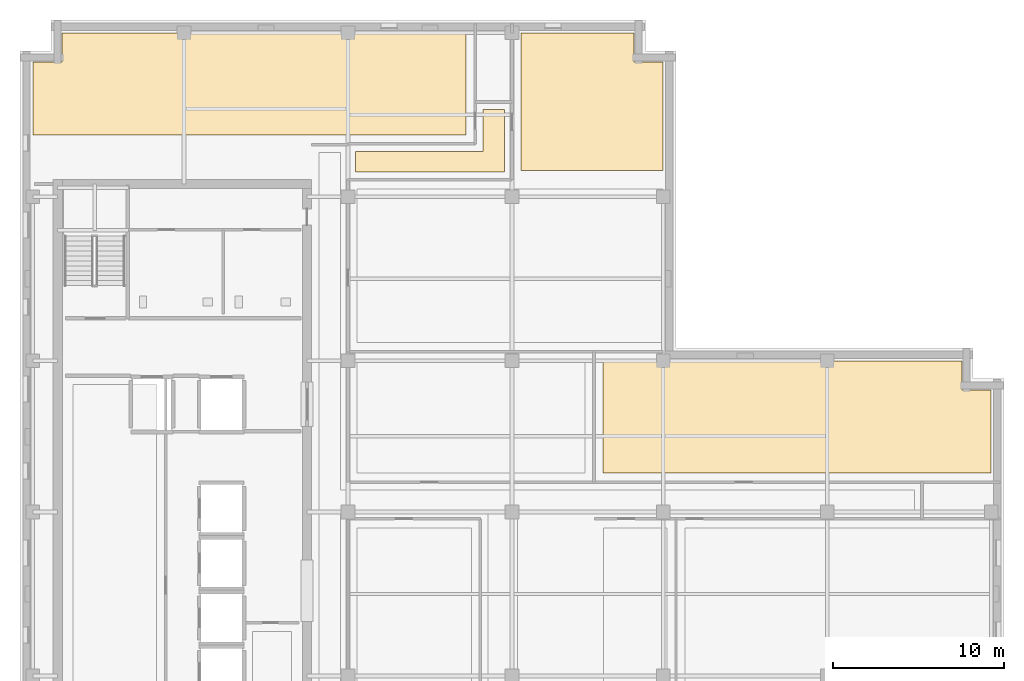
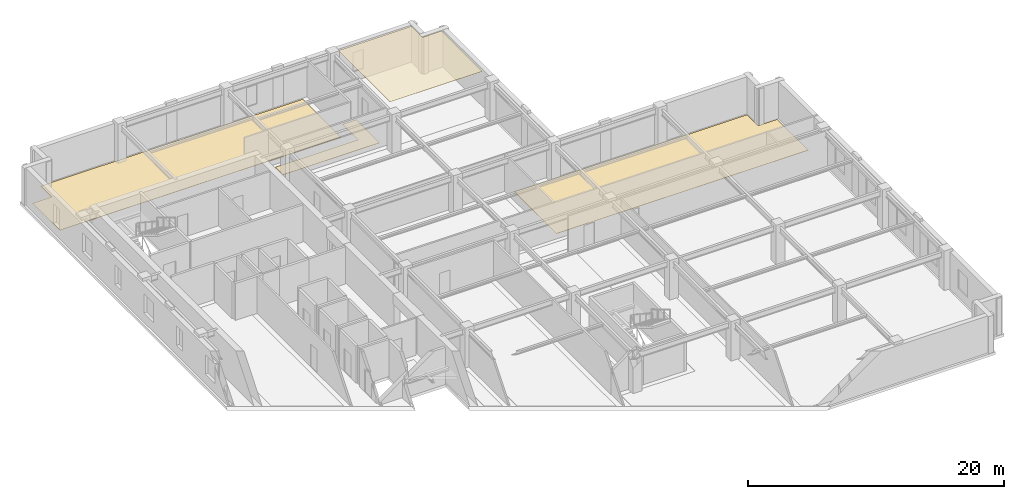
# One storey, part 10 of 11: 4 coverings.
"""IFC4 building model written with IfcOpenShell, lengths in metres."""

from ifc_helpers import new_model, si_unit, direction, frame, origin, place, context, subcontext, project, spatial, polyline, outline, extrude, material, layer, layer_set, type_object, element, save


model = new_model("IFC4")

# Units and contexts
model_context = context("Model", 3, precision=1e-05, world=origin(), true_north=direction((0.0, 1.0)))
body_context = subcontext(model_context, "Body", "Model", "MODEL_VIEW")
ifc_project = project(units=[si_unit("LENGTHUNIT", "METRE"), si_unit("AREAUNIT", "SQUARE_METRE"), si_unit("VOLUMEUNIT", "CUBIC_METRE"), si_unit("PLANEANGLEUNIT", "RADIAN"), si_unit("MASSUNIT", "GRAM", prefix="KILO")], contexts=[model_context])

# Site, building, storey
site_placement = place(None, origin())
site = spatial("IfcSite", under=ifc_project, at=site_placement, CompositionType="ELEMENT")
building_placement = place(site_placement, origin())
building = spatial("IfcBuilding", under=site, at=building_placement, Name="Norrvale University Quadrangle", CompositionType="ELEMENT")
storey_placement = place(building_placement, frame((0.0, 0.0, 248.39990234375)))
storey = spatial("IfcBuildingStorey", under=building, at=storey_placement, Name="L63", CompositionType="ELEMENT", Elevation=248.39990234375)

# Coverings
ifc_material_1 = material(Name="Perforated Acoustic Mineral Ceiling")
ifc_layer_1 = layer(ifc_material_1, 0.02490234375, Name="Perforated Acoustic Mineral Ceiling")
ifc_layer_set_1 = layer_set([ifc_layer_1], Name="Perforated Acoustic Mineral Ceiling")
covering_type_1 = type_object("IfcCoveringType", Name="Covering Acoustic Ceiling 25", PredefinedType="CEILING", material=ifc_layer_set_1)
covering_1_placement = place(storey_placement, frame((0.0, 0.0, 3.51513671875)))
element("IfcCovering", 1, at=covering_1_placement, inside=storey, type_object=covering_type_1, Name="Acoustic Ceiling RM-L63-NE01", PredefinedType="CEILING", context=body_context, shape_type="SweptSolid", body=[
    extrude(outline(polyline([(37.64990234375, 48.780029296875), (29.330078125, 48.780029296875), (29.330078125, 56.85009765625), (35.929931640625, 56.85009765625), (35.929931640625, 55.1298828125), (37.64990234375, 55.1298828125), (37.64990234375, 48.780029296875)])), origin(), (0.0, 0.0, 1.0), 0.02490234375),
])
ifc_material_2 = material(Name="Polished Terrazzo Flooring")
ifc_layer_2 = layer(ifc_material_2, 0.02490234375, Name="Polished Terrazzo Flooring")
ifc_layer_set_2 = layer_set([ifc_layer_2], Name="Polished Terrazzo Flooring")
covering_type_2 = type_object("IfcCoveringType", Name="Covering Terrazzo Floor 30", PredefinedType="FLOORING", material=ifc_layer_set_2)
covering_2_placement = place(storey_placement, origin())
element("IfcCovering", 2, at=covering_2_placement, inside=storey, type_object=covering_type_2, Name="Terrazzo Flooring RM-L63-ME02", PredefinedType="FLOORING", context=body_context, shape_type="SweptSolid", body=[
    extrude(outline(polyline([(56.85009765625, 31.080078125), (34.1298828125, 31.080078125), (34.1298828125, 37.64990234375), (55.1298828125, 37.64990234375), (55.1298828125, 35.929931640625), (56.85009765625, 35.929931640625), (56.85009765625, 31.080078125)])), origin(), (0.0, 0.0, 1.0), 0.025146484375),
])
covering_3_placement = place(storey_placement, origin())
element("IfcCovering", 3, at=covering_3_placement, inside=storey, type_object=covering_type_2, Name="Terrazzo Flooring RM-L63-NCJOG", PredefinedType="FLOORING", context=body_context, shape_type="SweptSolid", body=[
    extrude(outline(polyline([(19.64990234375, 48.699951171875), (19.64990234375, 49.89990234375), (27.10009765625, 49.89990234375), (27.10009765625, 52.35009765625), (28.35009765625, 52.35009765625), (28.35009765625, 48.699951171875), (19.64990234375, 48.699951171875)])), origin(), (0.0, 0.0, 1.0), 0.025146484375),
])
covering_4_placement = place(storey_placement, origin())
element("IfcCovering", 4, at=covering_4_placement, inside=storey, type_object=covering_type_2, Name="Terrazzo Flooring RM-L63-NW01", PredefinedType="FLOORING", context=body_context, shape_type="SweptSolid", body=[
    extrude(outline(polyline([(26.1201171875, 56.85009765625), (26.1201171875, 50.8798828125), (0.75, 50.8798828125), (0.75, 55.1298828125), (2.469970703125, 55.1298828125), (2.469970703125, 56.85009765625), (26.1201171875, 56.85009765625)])), origin(), (0.0, 0.0, 1.0), 0.025146484375),
])

save(model, "model.ifc")
